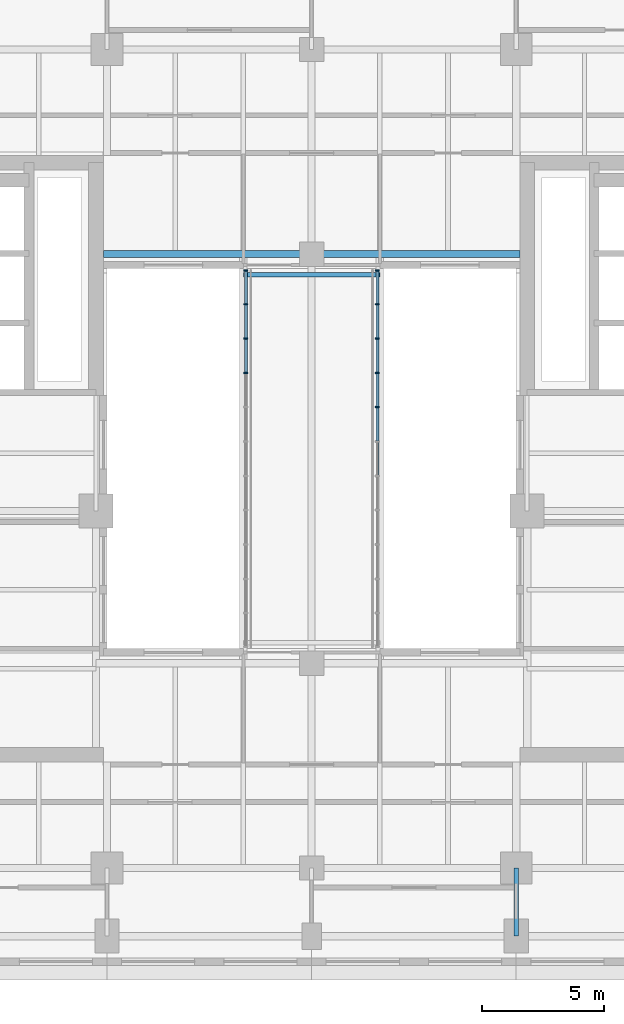
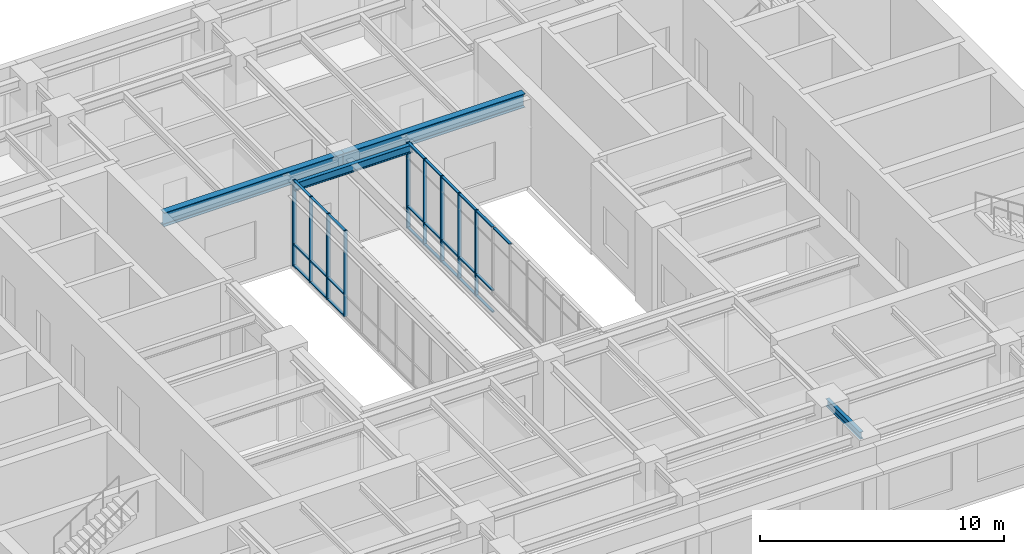
# One storey, part 3 of 14: 34 members, 4 beams, 2 elements without a shape of their own.
"""IFC4 building model written with IfcOpenShell, lengths in metres."""

from ifc_helpers import new_model, si_unit, direction, frame, origin, origin_2d, place, context, subcontext, project, spatial, rectangle, i_section, extrude, material, material_profile, profile_set, type_object, element, aggregate, save


model = new_model("IFC4")

# Units and contexts
model_context = context("Model", 3, precision=1e-05, world=origin(), true_north=direction((0.0, 1.0)))
body_context = subcontext(model_context, "Body", "Model", "MODEL_VIEW")
ifc_project = project(units=[si_unit("LENGTHUNIT", "METRE"), si_unit("AREAUNIT", "SQUARE_METRE"), si_unit("VOLUMEUNIT", "CUBIC_METRE"), si_unit("PLANEANGLEUNIT", "RADIAN"), si_unit("MASSUNIT", "GRAM", prefix="KILO")], contexts=[model_context])

# Site, building, storey
site_placement = place(None, origin())
site = spatial("IfcSite", under=ifc_project, at=site_placement, CompositionType="ELEMENT")
building_placement = place(site_placement, origin())
building = spatial("IfcBuilding", under=site, at=building_placement, Name="Claustro Exchange Tower", CompositionType="ELEMENT")
storey_placement = place(building_placement, frame((0.0, 0.0, 250.199951171875)))
storey = spatial("IfcBuildingStorey", under=building, at=storey_placement, Name="L57", CompositionType="ELEMENT", Elevation=250.199951171875)

# Beams
ifc_material_1 = material(Name="Steel S355", Category="steel")
ifc_material_profile_1 = material_profile(ifc_material_1, i_section(OverallWidth=0.300048828125, OverallDepth=0.68994140625, WebThickness=0.014404296875, FlangeThickness=0.027099609375, FilletRadius=0.027099609375, at=origin_2d()), Name="HE 700 A")
ifc_profile_set_1 = profile_set([ifc_material_profile_1], Name="Steel S355")
beam_type_1 = type_object("IfcBeamType", Name="B13 HE 700 A light well edge girder", PredefinedType="BEAM", material=ifc_profile_set_1)
for number, where, z_axis, x_axis, name in (
    (1, (16.64990234375, 33.60009765625, 4.005126953125), (1.0, 0.0, 0.0), (0.0, 1.0, 0.0), "Beam B13 L58"),
    (2, (25.199951171875, 33.60009765625, 4.005126953125), (1.0, 0.0, 0.0), (0.0, 1.0, 0.0), "Beam B13 L58"),
):
    element("IfcBeam", number, at=place(storey_placement, frame(where, z_axis=z_axis, x_axis=x_axis)), inside=storey, type_object=beam_type_1, Name=name, PredefinedType="BEAM", context=body_context, shape_type="SweptSolid", body=[
        extrude(i_section(OverallWidth=0.300048828125, OverallDepth=0.68994140625, WebThickness=0.014404296875, FlangeThickness=0.027099609375, FilletRadius=0.027099609375, at=origin_2d()), origin(), (0.0, 0.0, 1.0), 8.550048828125),
    ])
ifc_material_2 = material(Name="Steel S355", Category="steel")
ifc_material_profile_2 = material_profile(ifc_material_2, i_section(OverallWidth=0.169921875, OverallDepth=0.360107421875, WebThickness=0.008056640625, FlangeThickness=0.0126953125, FilletRadius=0.01806640625, at=origin_2d()), Name="IPE 360")
ifc_profile_set_2 = profile_set([ifc_material_profile_2], Name="Steel S355")
beam_type_2 = type_object("IfcBeamType", Name="B16 IPE 360 short-span beam", PredefinedType="BEAM", material=ifc_profile_set_2)
beam_1_placement = place(storey_placement, frame((33.60009765625, 5.60009765625, 4.170166015625), z_axis=(0.0, 1.0, 0.0), x_axis=(-1.0, 0.0, 0.0)))
element("IfcBeam", 3, at=beam_1_placement, inside=storey, type_object=beam_type_2, Name="Beam B16 L58", PredefinedType="BEAM", context=body_context, shape_type="SweptSolid", body=[
    extrude(i_section(OverallWidth=0.169921875, OverallDepth=0.360107421875, WebThickness=0.008056640625, FlangeThickness=0.0126953125, FilletRadius=0.01806640625, at=origin_2d()), origin(), (0.0, 0.0, 1.0), 2.7998046875),
])
ifc_material_3 = material(Name="Steel S355", Category="steel")
ifc_material_profile_3 = material_profile(ifc_material_3, i_section(OverallWidth=0.179931640625, OverallDepth=0.39990234375, WebThickness=0.008544921875, FlangeThickness=0.013427734375, FilletRadius=0.02099609375, at=origin_2d()), Name="IPE 400")
ifc_profile_set_3 = profile_set([ifc_material_profile_3], Name="Steel S355")
beam_type_3 = type_object("IfcBeamType", Name="B21 IPE 400 sky bridge end trimmer", PredefinedType="BEAM", material=ifc_profile_set_3)
beam_2_placement = place(storey_placement, frame((22.39990234375, 32.75, 4.10009765625), z_axis=(1.0, 0.0, 0.0), x_axis=(0.0, 1.0, 0.0)))
element("IfcBeam", 4, at=beam_2_placement, inside=storey, type_object=beam_type_3, Name="Sky bridge end trimmer B21 L57", PredefinedType="BEAM", context=body_context, shape_type="SweptSolid", body=[
    extrude(i_section(OverallWidth=0.179931640625, OverallDepth=0.39990234375, WebThickness=0.008544921875, FlangeThickness=0.013427734375, FilletRadius=0.02099609375, at=origin_2d()), origin(), (0.0, 0.0, 1.0), 5.60009765625),
])

# Curtain wall, members
ifc_material_4 = material(Name="Aluminium frame, clear double glazing", Category="aluminium")
curtain_wall_type = type_object("IfcCurtainWallType", Name="CW2 sky bridge curtain wall", PredefinedType="USERDEFINED", material=ifc_material_4)
curtain_wall_1_placement = place(storey_placement, origin())
curtain_wall_1 = element("IfcCurtainWall", 5, at=curtain_wall_1_placement, inside=storey, type_object=curtain_wall_type, Name="Curtain wall CW2 L57", ObjectType="STICK CURTAIN WALL", PredefinedType="USERDEFINED")
ifc_material_5 = material(Name="Aluminium mullion", Category="aluminium")
ifc_material_profile_4 = material_profile(ifc_material_5, rectangle(XDim=0.159912109375, YDim=0.06005859375, at=origin_2d()), Name="CW2-M 60x160")
ifc_profile_set_4 = profile_set([ifc_material_profile_4], Name="Aluminium mullion")
member_type_1 = type_object("IfcMemberType", Name="CW2-M 60 x 160 mullion", PredefinedType="MULLION", material=ifc_profile_set_4)
member_1_placement = place(storey_placement, frame((22.5, 28.72265625, 0.0), z_axis=(0.0, 0.0, 1.0), x_axis=(-1.0, 0.0, 0.0)))
member_1 = element("IfcMember", 6, at=member_1_placement, type_object=member_type_1, Name="CW2 mullion 9", PredefinedType="MULLION", context=body_context, shape_type="SweptSolid", body=[
    extrude(rectangle(XDim=0.159912109375, YDim=0.06005859375, at=origin_2d()), origin(), (0.0, 0.0, 1.0), 4.300048828125),
])
member_2_placement = place(storey_placement, frame((22.5, 30.1318359375, 0.0), z_axis=(0.0, 0.0, 1.0), x_axis=(-1.0, 0.0, 0.0)))
member_2 = element("IfcMember", 7, at=member_2_placement, type_object=member_type_1, Name="CW2 mullion 10", PredefinedType="MULLION", context=body_context, shape_type="SweptSolid", body=[
    extrude(rectangle(XDim=0.159912109375, YDim=0.06005859375, at=origin_2d()), origin(), (0.0, 0.0, 1.0), 4.300048828125),
])
member_3_placement = place(storey_placement, frame((22.5, 31.541015625, 0.0), z_axis=(0.0, 0.0, 1.0), x_axis=(-1.0, 0.0, 0.0)))
member_3 = element("IfcMember", 8, at=member_3_placement, type_object=member_type_1, Name="CW2 mullion 11", PredefinedType="MULLION", context=body_context, shape_type="SweptSolid", body=[
    extrude(rectangle(XDim=0.159912109375, YDim=0.06005859375, at=origin_2d()), origin(), (0.0, 0.0, 1.0), 4.300048828125),
])
member_4_placement = place(storey_placement, frame((22.5, 32.919921875, 0.0), z_axis=(0.0, 0.0, 1.0), x_axis=(-1.0, 0.0, 0.0)))
member_4 = element("IfcMember", 9, at=member_4_placement, type_object=member_type_1, Name="CW2 mullion 12", PredefinedType="MULLION", context=body_context, shape_type="SweptSolid", body=[
    extrude(rectangle(XDim=0.159912109375, YDim=0.06005859375, at=origin_2d()), origin(), (0.0, 0.0, 1.0), 4.300048828125),
])

curtain_wall_2_placement = place(storey_placement, origin())
curtain_wall_2 = element("IfcCurtainWall", 10, at=curtain_wall_2_placement, inside=storey, type_object=curtain_wall_type, Name="Curtain wall CW2 L57", ObjectType="STICK CURTAIN WALL", PredefinedType="USERDEFINED")
member_5_placement = place(storey_placement, frame((27.89990234375, 27.313720703125, 0.0), z_axis=(0.0, 0.0, 1.0), x_axis=(-1.0, 0.0, 0.0)))
member_5 = element("IfcMember", 11, at=member_5_placement, type_object=member_type_1, Name="CW2 mullion 8", PredefinedType="MULLION", context=body_context, shape_type="SweptSolid", body=[
    extrude(rectangle(XDim=0.159912109375, YDim=0.06005859375, at=origin_2d()), origin(), (0.0, 0.0, 1.0), 4.300048828125),
])
member_6_placement = place(storey_placement, frame((27.89990234375, 28.72265625, 0.0), z_axis=(0.0, 0.0, 1.0), x_axis=(-1.0, 0.0, 0.0)))
member_6 = element("IfcMember", 12, at=member_6_placement, type_object=member_type_1, Name="CW2 mullion 9", PredefinedType="MULLION", context=body_context, shape_type="SweptSolid", body=[
    extrude(rectangle(XDim=0.159912109375, YDim=0.06005859375, at=origin_2d()), origin(), (0.0, 0.0, 1.0), 4.300048828125),
])
member_7_placement = place(storey_placement, frame((27.89990234375, 30.1318359375, 0.0), z_axis=(0.0, 0.0, 1.0), x_axis=(-1.0, 0.0, 0.0)))
member_7 = element("IfcMember", 13, at=member_7_placement, type_object=member_type_1, Name="CW2 mullion 10", PredefinedType="MULLION", context=body_context, shape_type="SweptSolid", body=[
    extrude(rectangle(XDim=0.159912109375, YDim=0.06005859375, at=origin_2d()), origin(), (0.0, 0.0, 1.0), 4.300048828125),
])
member_8_placement = place(storey_placement, frame((27.89990234375, 31.541015625, 0.0), z_axis=(0.0, 0.0, 1.0), x_axis=(-1.0, 0.0, 0.0)))
member_8 = element("IfcMember", 14, at=member_8_placement, type_object=member_type_1, Name="CW2 mullion 11", PredefinedType="MULLION", context=body_context, shape_type="SweptSolid", body=[
    extrude(rectangle(XDim=0.159912109375, YDim=0.06005859375, at=origin_2d()), origin(), (0.0, 0.0, 1.0), 4.300048828125),
])
member_9_placement = place(storey_placement, frame((27.89990234375, 32.919921875, 0.0), z_axis=(0.0, 0.0, 1.0), x_axis=(-1.0, 0.0, 0.0)))
member_9 = element("IfcMember", 15, at=member_9_placement, type_object=member_type_1, Name="CW2 mullion 12", PredefinedType="MULLION", context=body_context, shape_type="SweptSolid", body=[
    extrude(rectangle(XDim=0.159912109375, YDim=0.06005859375, at=origin_2d()), origin(), (0.0, 0.0, 1.0), 4.300048828125),
])

# Member
ifc_material_6 = material(Name="Aluminium transom", Category="aluminium")
ifc_material_profile_5 = material_profile(ifc_material_6, rectangle(XDim=0.1201171875, YDim=0.06005859375, at=origin_2d()), Name="CW2-T 60x120")
ifc_profile_set_5 = profile_set([ifc_material_profile_5], Name="Aluminium transom")
member_type_2 = type_object("IfcMemberType", Name="CW2-T 60 x 120 transom", PredefinedType="USERDEFINED", material=ifc_profile_set_5)
member_10_placement = place(storey_placement, frame((22.5, 28.752685546875, 0.030029296875), z_axis=(0.0, 1.0, 0.0), x_axis=(-1.0, 0.0, 0.0)))
member_10 = element("IfcMember", 16, at=member_10_placement, type_object=member_type_2, Name="CW2 transom 9.1", ObjectType="TRANSOM", PredefinedType="USERDEFINED", context=body_context, shape_type="SweptSolid", body=[
    extrude(rectangle(XDim=0.1201171875, YDim=0.06005859375, at=origin_2d()), origin(), (0.0, 0.0, 1.0), 1.34912109375),
])

member_11_placement = place(storey_placement, frame((22.5, 28.752685546875, 1.10009765625), z_axis=(0.0, 1.0, 0.0), x_axis=(-1.0, 0.0, 0.0)))
member_11 = element("IfcMember", 17, at=member_11_placement, type_object=member_type_2, Name="CW2 transom 9.2", ObjectType="TRANSOM", PredefinedType="USERDEFINED", context=body_context, shape_type="SweptSolid", body=[
    extrude(rectangle(XDim=0.1201171875, YDim=0.06005859375, at=origin_2d()), origin(), (0.0, 0.0, 1.0), 1.34912109375),
])

member_12_placement = place(storey_placement, frame((22.5, 28.752685546875, 4.27001953125), z_axis=(0.0, 1.0, 0.0), x_axis=(-1.0, 0.0, 0.0)))
member_12 = element("IfcMember", 18, at=member_12_placement, type_object=member_type_2, Name="CW2 transom 9.3", ObjectType="TRANSOM", PredefinedType="USERDEFINED", context=body_context, shape_type="SweptSolid", body=[
    extrude(rectangle(XDim=0.1201171875, YDim=0.06005859375, at=origin_2d()), origin(), (0.0, 0.0, 1.0), 1.34912109375),
])

member_13_placement = place(storey_placement, frame((22.5, 30.161865234375, 0.030029296875), z_axis=(0.0, 1.0, 0.0), x_axis=(-1.0, 0.0, 0.0)))
member_13 = element("IfcMember", 19, at=member_13_placement, type_object=member_type_2, Name="CW2 transom 10.1", ObjectType="TRANSOM", PredefinedType="USERDEFINED", context=body_context, shape_type="SweptSolid", body=[
    extrude(rectangle(XDim=0.1201171875, YDim=0.06005859375, at=origin_2d()), origin(), (0.0, 0.0, 1.0), 1.34912109375),
])

member_14_placement = place(storey_placement, frame((22.5, 30.161865234375, 1.10009765625), z_axis=(0.0, 1.0, 0.0), x_axis=(-1.0, 0.0, 0.0)))
member_14 = element("IfcMember", 20, at=member_14_placement, type_object=member_type_2, Name="CW2 transom 10.2", ObjectType="TRANSOM", PredefinedType="USERDEFINED", context=body_context, shape_type="SweptSolid", body=[
    extrude(rectangle(XDim=0.1201171875, YDim=0.06005859375, at=origin_2d()), origin(), (0.0, 0.0, 1.0), 1.34912109375),
])

member_15_placement = place(storey_placement, frame((22.5, 30.161865234375, 4.27001953125), z_axis=(0.0, 1.0, 0.0), x_axis=(-1.0, 0.0, 0.0)))
member_15 = element("IfcMember", 21, at=member_15_placement, type_object=member_type_2, Name="CW2 transom 10.3", ObjectType="TRANSOM", PredefinedType="USERDEFINED", context=body_context, shape_type="SweptSolid", body=[
    extrude(rectangle(XDim=0.1201171875, YDim=0.06005859375, at=origin_2d()), origin(), (0.0, 0.0, 1.0), 1.34912109375),
])

member_16_placement = place(storey_placement, frame((22.5, 31.57080078125, 0.030029296875), z_axis=(0.0, 1.0, 0.0), x_axis=(-1.0, 0.0, 0.0)))
member_16 = element("IfcMember", 22, at=member_16_placement, type_object=member_type_2, Name="CW2 transom 11.1", ObjectType="TRANSOM", PredefinedType="USERDEFINED", context=body_context, shape_type="SweptSolid", body=[
    extrude(rectangle(XDim=0.1201171875, YDim=0.06005859375, at=origin_2d()), origin(), (0.0, 0.0, 1.0), 1.319091796875),
])

member_17_placement = place(storey_placement, frame((22.5, 31.57080078125, 1.10009765625), z_axis=(0.0, 1.0, 0.0), x_axis=(-1.0, 0.0, 0.0)))
member_17 = element("IfcMember", 23, at=member_17_placement, type_object=member_type_2, Name="CW2 transom 11.2", ObjectType="TRANSOM", PredefinedType="USERDEFINED", context=body_context, shape_type="SweptSolid", body=[
    extrude(rectangle(XDim=0.1201171875, YDim=0.06005859375, at=origin_2d()), origin(), (0.0, 0.0, 1.0), 1.319091796875),
])

member_18_placement = place(storey_placement, frame((22.5, 31.57080078125, 4.27001953125), z_axis=(0.0, 1.0, 0.0), x_axis=(-1.0, 0.0, 0.0)))
member_18 = element("IfcMember", 24, at=member_18_placement, type_object=member_type_2, Name="CW2 transom 11.3", ObjectType="TRANSOM", PredefinedType="USERDEFINED", context=body_context, shape_type="SweptSolid", body=[
    extrude(rectangle(XDim=0.1201171875, YDim=0.06005859375, at=origin_2d()), origin(), (0.0, 0.0, 1.0), 1.319091796875),
])

aggregate(curtain_wall_1, [member_1, member_2, member_3, member_4, member_10, member_11, member_12, member_13, member_14, member_15, member_16, member_17, member_18])

member_19_placement = place(storey_placement, frame((27.89990234375, 24.525390625, 4.27001953125), z_axis=(0.0, 1.0, 0.0), x_axis=(-1.0, 0.0, 0.0)))
member_19 = element("IfcMember", 25, at=member_19_placement, type_object=member_type_2, Name="CW2 transom 6.3", ObjectType="TRANSOM", PredefinedType="USERDEFINED", context=body_context, shape_type="SweptSolid", body=[
    extrude(rectangle(XDim=0.1201171875, YDim=0.06005859375, at=origin_2d()), origin(), (0.0, 0.0, 1.0), 1.34912109375),
])

member_20_placement = place(storey_placement, frame((27.89990234375, 25.9345703125, 0.030029296875), z_axis=(0.0, 1.0, 0.0), x_axis=(-1.0, 0.0, 0.0)))
member_20 = element("IfcMember", 26, at=member_20_placement, type_object=member_type_2, Name="CW2 transom 7.1", ObjectType="TRANSOM", PredefinedType="USERDEFINED", context=body_context, shape_type="SweptSolid", body=[
    extrude(rectangle(XDim=0.1201171875, YDim=0.06005859375, at=origin_2d()), origin(), (0.0, 0.0, 1.0), 1.34912109375),
])

member_21_placement = place(storey_placement, frame((27.89990234375, 25.9345703125, 1.10009765625), z_axis=(0.0, 1.0, 0.0), x_axis=(-1.0, 0.0, 0.0)))
member_21 = element("IfcMember", 27, at=member_21_placement, type_object=member_type_2, Name="CW2 transom 7.2", ObjectType="TRANSOM", PredefinedType="USERDEFINED", context=body_context, shape_type="SweptSolid", body=[
    extrude(rectangle(XDim=0.1201171875, YDim=0.06005859375, at=origin_2d()), origin(), (0.0, 0.0, 1.0), 1.34912109375),
])

member_22_placement = place(storey_placement, frame((27.89990234375, 25.9345703125, 4.27001953125), z_axis=(0.0, 1.0, 0.0), x_axis=(-1.0, 0.0, 0.0)))
member_22 = element("IfcMember", 28, at=member_22_placement, type_object=member_type_2, Name="CW2 transom 7.3", ObjectType="TRANSOM", PredefinedType="USERDEFINED", context=body_context, shape_type="SweptSolid", body=[
    extrude(rectangle(XDim=0.1201171875, YDim=0.06005859375, at=origin_2d()), origin(), (0.0, 0.0, 1.0), 1.34912109375),
])

member_23_placement = place(storey_placement, frame((27.89990234375, 27.34375, 0.030029296875), z_axis=(0.0, 1.0, 0.0), x_axis=(-1.0, 0.0, 0.0)))
member_23 = element("IfcMember", 29, at=member_23_placement, type_object=member_type_2, Name="CW2 transom 8.1", ObjectType="TRANSOM", PredefinedType="USERDEFINED", context=body_context, shape_type="SweptSolid", body=[
    extrude(rectangle(XDim=0.1201171875, YDim=0.06005859375, at=origin_2d()), origin(), (0.0, 0.0, 1.0), 1.348876953125),
])

member_24_placement = place(storey_placement, frame((27.89990234375, 27.34375, 1.10009765625), z_axis=(0.0, 1.0, 0.0), x_axis=(-1.0, 0.0, 0.0)))
member_24 = element("IfcMember", 30, at=member_24_placement, type_object=member_type_2, Name="CW2 transom 8.2", ObjectType="TRANSOM", PredefinedType="USERDEFINED", context=body_context, shape_type="SweptSolid", body=[
    extrude(rectangle(XDim=0.1201171875, YDim=0.06005859375, at=origin_2d()), origin(), (0.0, 0.0, 1.0), 1.348876953125),
])

member_25_placement = place(storey_placement, frame((27.89990234375, 27.34375, 4.27001953125), z_axis=(0.0, 1.0, 0.0), x_axis=(-1.0, 0.0, 0.0)))
member_25 = element("IfcMember", 31, at=member_25_placement, type_object=member_type_2, Name="CW2 transom 8.3", ObjectType="TRANSOM", PredefinedType="USERDEFINED", context=body_context, shape_type="SweptSolid", body=[
    extrude(rectangle(XDim=0.1201171875, YDim=0.06005859375, at=origin_2d()), origin(), (0.0, 0.0, 1.0), 1.348876953125),
])

member_26_placement = place(storey_placement, frame((27.89990234375, 28.752685546875, 0.030029296875), z_axis=(0.0, 1.0, 0.0), x_axis=(-1.0, 0.0, 0.0)))
member_26 = element("IfcMember", 32, at=member_26_placement, type_object=member_type_2, Name="CW2 transom 9.1", ObjectType="TRANSOM", PredefinedType="USERDEFINED", context=body_context, shape_type="SweptSolid", body=[
    extrude(rectangle(XDim=0.1201171875, YDim=0.06005859375, at=origin_2d()), origin(), (0.0, 0.0, 1.0), 1.34912109375),
])

member_27_placement = place(storey_placement, frame((27.89990234375, 28.752685546875, 1.10009765625), z_axis=(0.0, 1.0, 0.0), x_axis=(-1.0, 0.0, 0.0)))
member_27 = element("IfcMember", 33, at=member_27_placement, type_object=member_type_2, Name="CW2 transom 9.2", ObjectType="TRANSOM", PredefinedType="USERDEFINED", context=body_context, shape_type="SweptSolid", body=[
    extrude(rectangle(XDim=0.1201171875, YDim=0.06005859375, at=origin_2d()), origin(), (0.0, 0.0, 1.0), 1.34912109375),
])

member_28_placement = place(storey_placement, frame((27.89990234375, 28.752685546875, 4.27001953125), z_axis=(0.0, 1.0, 0.0), x_axis=(-1.0, 0.0, 0.0)))
member_28 = element("IfcMember", 34, at=member_28_placement, type_object=member_type_2, Name="CW2 transom 9.3", ObjectType="TRANSOM", PredefinedType="USERDEFINED", context=body_context, shape_type="SweptSolid", body=[
    extrude(rectangle(XDim=0.1201171875, YDim=0.06005859375, at=origin_2d()), origin(), (0.0, 0.0, 1.0), 1.34912109375),
])

member_29_placement = place(storey_placement, frame((27.89990234375, 30.161865234375, 0.030029296875), z_axis=(0.0, 1.0, 0.0), x_axis=(-1.0, 0.0, 0.0)))
member_29 = element("IfcMember", 35, at=member_29_placement, type_object=member_type_2, Name="CW2 transom 10.1", ObjectType="TRANSOM", PredefinedType="USERDEFINED", context=body_context, shape_type="SweptSolid", body=[
    extrude(rectangle(XDim=0.1201171875, YDim=0.06005859375, at=origin_2d()), origin(), (0.0, 0.0, 1.0), 1.34912109375),
])

member_30_placement = place(storey_placement, frame((27.89990234375, 30.161865234375, 1.10009765625), z_axis=(0.0, 1.0, 0.0), x_axis=(-1.0, 0.0, 0.0)))
member_30 = element("IfcMember", 36, at=member_30_placement, type_object=member_type_2, Name="CW2 transom 10.2", ObjectType="TRANSOM", PredefinedType="USERDEFINED", context=body_context, shape_type="SweptSolid", body=[
    extrude(rectangle(XDim=0.1201171875, YDim=0.06005859375, at=origin_2d()), origin(), (0.0, 0.0, 1.0), 1.34912109375),
])

member_31_placement = place(storey_placement, frame((27.89990234375, 30.161865234375, 4.27001953125), z_axis=(0.0, 1.0, 0.0), x_axis=(-1.0, 0.0, 0.0)))
member_31 = element("IfcMember", 37, at=member_31_placement, type_object=member_type_2, Name="CW2 transom 10.3", ObjectType="TRANSOM", PredefinedType="USERDEFINED", context=body_context, shape_type="SweptSolid", body=[
    extrude(rectangle(XDim=0.1201171875, YDim=0.06005859375, at=origin_2d()), origin(), (0.0, 0.0, 1.0), 1.34912109375),
])

member_32_placement = place(storey_placement, frame((27.89990234375, 31.57080078125, 0.030029296875), z_axis=(0.0, 1.0, 0.0), x_axis=(-1.0, 0.0, 0.0)))
member_32 = element("IfcMember", 38, at=member_32_placement, type_object=member_type_2, Name="CW2 transom 11.1", ObjectType="TRANSOM", PredefinedType="USERDEFINED", context=body_context, shape_type="SweptSolid", body=[
    extrude(rectangle(XDim=0.1201171875, YDim=0.06005859375, at=origin_2d()), origin(), (0.0, 0.0, 1.0), 1.319091796875),
])

member_33_placement = place(storey_placement, frame((27.89990234375, 31.57080078125, 1.10009765625), z_axis=(0.0, 1.0, 0.0), x_axis=(-1.0, 0.0, 0.0)))
member_33 = element("IfcMember", 39, at=member_33_placement, type_object=member_type_2, Name="CW2 transom 11.2", ObjectType="TRANSOM", PredefinedType="USERDEFINED", context=body_context, shape_type="SweptSolid", body=[
    extrude(rectangle(XDim=0.1201171875, YDim=0.06005859375, at=origin_2d()), origin(), (0.0, 0.0, 1.0), 1.319091796875),
])

member_34_placement = place(storey_placement, frame((27.89990234375, 31.57080078125, 4.27001953125), z_axis=(0.0, 1.0, 0.0), x_axis=(-1.0, 0.0, 0.0)))
member_34 = element("IfcMember", 40, at=member_34_placement, type_object=member_type_2, Name="CW2 transom 11.3", ObjectType="TRANSOM", PredefinedType="USERDEFINED", context=body_context, shape_type="SweptSolid", body=[
    extrude(rectangle(XDim=0.1201171875, YDim=0.06005859375, at=origin_2d()), origin(), (0.0, 0.0, 1.0), 1.319091796875),
])

aggregate(curtain_wall_2, [member_5, member_6, member_7, member_8, member_9, member_19, member_20, member_21, member_22, member_23, member_24, member_25, member_26, member_27, member_28, member_29, member_30, member_31, member_32, member_33, member_34])

save(model, "model.ifc")
